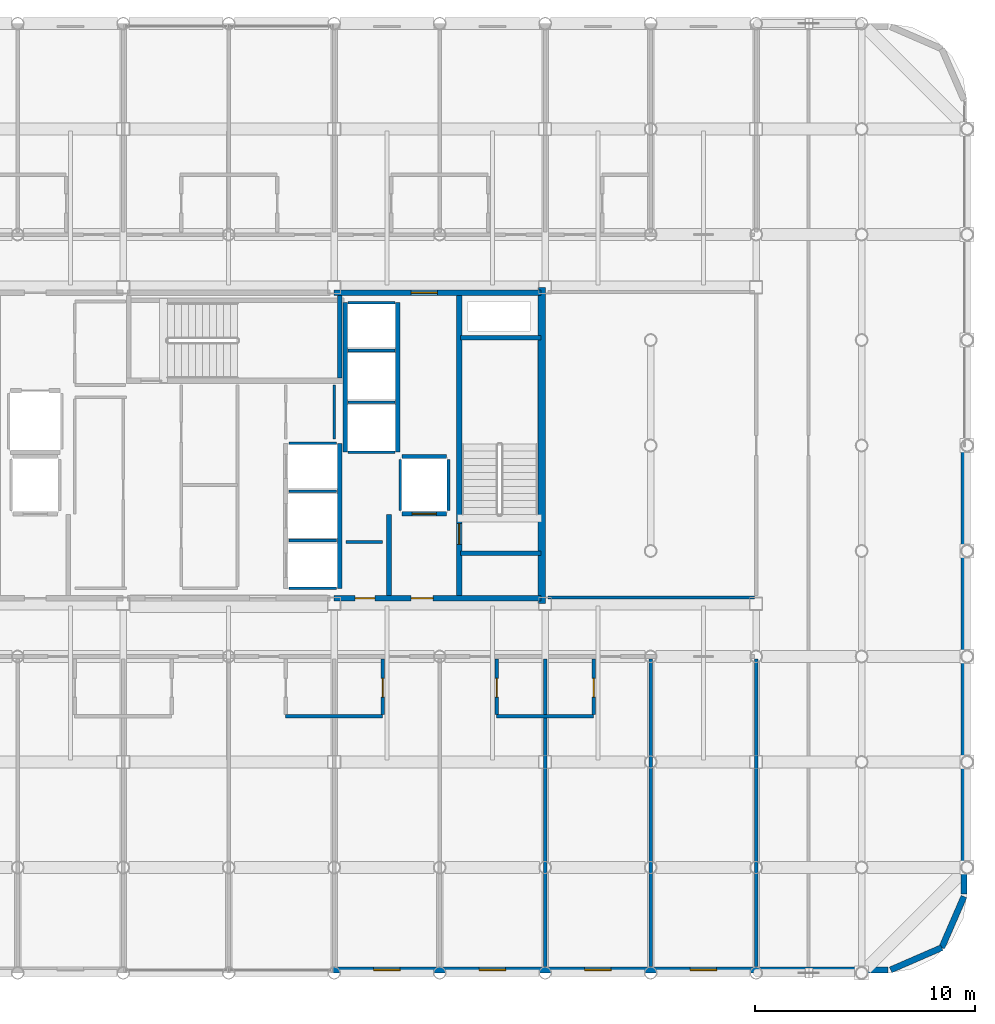
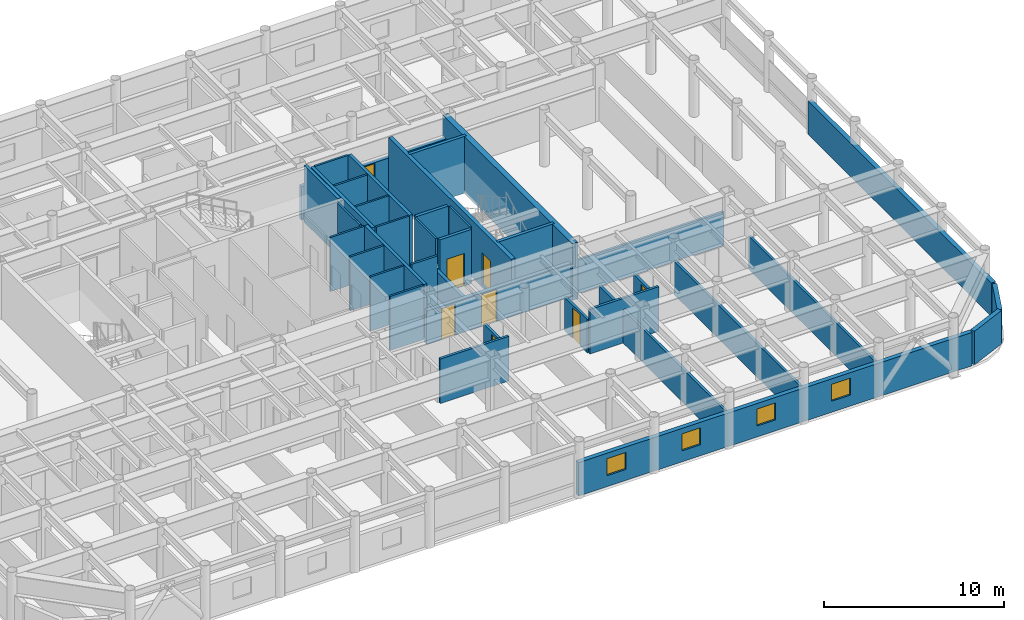
# One storey, part 19 of 22: 38 walls, 8 doors, 4 windows, 12 openings.
"""IFC4 building model written with IfcOpenShell, lengths in metres."""

import ifcopenshell
import ifcopenshell.guid

model = None  # the IFC model being written
_history = None  # IfcOwnerHistory: only IFC2X3 demands one
_inside = {}  # id of a spatial element -> (the spatial element, [elements in it])
_under = {}  # id of a project, library or spatial element -> (it, [spatial elements below it])
_declared = {}  # id of a project -> (the project, [libraries it declares])
_typed = {}  # id of a type object -> (the type object, [elements of that type])
_made_of = {}  # id of a material, layer set ... -> (it, [elements and type objects made of it])


def new_model(schema):
    """Start an empty IFC model of exactly this schema.

    Asked for "IFC4X3", IfcOpenShell would pick the latest addendum, in which some entities
    have other attributes; the version numbers below select the first issue.
    IFC2X3 requires an IfcOwnerHistory on every rooted entity: one is made here for all.
    """
    global model, _history
    if schema == "IFC4X3":
        model = ifcopenshell.file(schema_version=(4, 3, 0, 0))
    else:
        model = ifcopenshell.file(schema=schema)
    _inside.clear()
    _under.clear()
    _declared.clear()
    _typed.clear()
    _made_of.clear()
    _history = None
    if model.schema == "IFC2X3":
        org = make("IfcOrganization", Name="unknown")
        user = make(
            "IfcPersonAndOrganization",
            ThePerson=make("IfcPerson", FamilyName="unknown"),
            TheOrganization=org,
        )
        app = make(
            "IfcApplication",
            ApplicationDeveloper=org,
            Version="unknown",
            ApplicationFullName="unknown",
            ApplicationIdentifier="unknown",
        )
        _history = make(
            "IfcOwnerHistory",
            OwningUser=user,
            OwningApplication=app,
            ChangeAction="ADDED",
            CreationDate=0,
        )
    return model


def make(cls, **values):
    """One entity of the class cls with the attributes given. An attribute that is None is left unset."""
    return model.create_entity(
        cls, **{name: value for name, value in values.items() if value is not None}
    )


def rooted(cls, **values):
    """An entity with a GlobalId (a new one), such as an element, a storey or a relation."""
    return make(cls, GlobalId=ifcopenshell.guid.new(), OwnerHistory=_history, **values)


def si_unit(unit_type, name, prefix=None):
    """IfcSIUnit, for example si_unit("LENGTHUNIT", "METRE", prefix="MILLI")."""
    return make("IfcSIUnit", UnitType=unit_type, Prefix=prefix, Name=name)


def assignment(units):
    """IfcUnitAssignment: the units of a project."""
    return None if units is None else make("IfcUnitAssignment", Units=units)


def point(xyz):
    """IfcCartesianPoint."""
    return None if xyz is None else make("IfcCartesianPoint", Coordinates=xyz)


def direction(xyz):
    """IfcDirection."""
    return None if xyz is None else make("IfcDirection", DirectionRatios=xyz)


def frame(location, z_axis=None, x_axis=None):
    """IfcAxis2Placement3D, a coordinate frame: its origin and axes. An axis left out is left unset."""
    return make(
        "IfcAxis2Placement3D",
        Location=point(location),
        Axis=direction(z_axis),
        RefDirection=direction(x_axis),
    )


def frame_2d(location, x_axis=None):
    """IfcAxis2Placement2D, a coordinate frame in the plane: its origin and x axis."""
    return make(
        "IfcAxis2Placement2D", Location=point(location), RefDirection=direction(x_axis)
    )


def origin():
    """The frame at (0, 0, 0) with its axes left unset."""
    return frame((0.0, 0.0, 0.0))


def place(relative_to, where):
    """IfcLocalPlacement: puts the frame where relative to a parent placement (None: the world)."""
    return make(
        "IfcLocalPlacement", PlacementRelTo=relative_to, RelativePlacement=where
    )


def context(
    kind, dimensions, precision=None, world=None, true_north=None, identifier=None
):
    """IfcGeometricRepresentationContext, for example the 3D "Model" context."""
    return make(
        "IfcGeometricRepresentationContext",
        ContextIdentifier=identifier,
        ContextType=kind,
        CoordinateSpaceDimension=dimensions,
        Precision=precision,
        WorldCoordinateSystem=world,
        TrueNorth=true_north,
    )


def subcontext(parent, identifier, kind, view, scale=None):
    """IfcGeometricRepresentationSubContext, for example "Body" below "Model"."""
    return make(
        "IfcGeometricRepresentationSubContext",
        ContextIdentifier=identifier,
        ContextType=kind,
        ParentContext=parent,
        TargetScale=scale,
        TargetView=view,
    )


def project(units=None, contexts=None):
    """IfcProject with its units and contexts."""
    return rooted(
        "IfcProject",
        Name="project",
        RepresentationContexts=contexts,
        UnitsInContext=assignment(units),
    )


def spatial(cls, under=None, at=None, **own):
    """A site, building, storey or space (cls), placed at a placement, below another one or the project."""
    s = rooted(cls, ObjectPlacement=at, **own)
    if under is not None:
        _under.setdefault(under.id(), (under, []))[1].append(s)
    return s


def profile(cls, at=None, kind="AREA", **sizes):
    """A parametric profile (cls). Its sizes go by their IFC names, for example OverallWidth=200.0."""
    return make(cls, ProfileType=kind, Position=at, **sizes)


def rectangle(**sizes):
    """IfcRectangleProfileDef."""
    return profile("IfcRectangleProfileDef", **sizes)


def extrude(swept, where, along, depth):
    """IfcExtrudedAreaSolid: the profile swept, set in the frame where, extruded along a direction by depth."""
    return make(
        "IfcExtrudedAreaSolid",
        SweptArea=swept,
        Position=where,
        ExtrudedDirection=direction(along),
        Depth=depth,
    )


def shape(context_of_items, identifier, shape_type, items):
    """IfcShapeRepresentation: the items that make up one representation, for example the "Body"."""
    return make(
        "IfcShapeRepresentation",
        ContextOfItems=context_of_items,
        RepresentationIdentifier=identifier,
        RepresentationType=shape_type,
        Items=items,
    )


def material(Name=None, Category=None):
    """IfcMaterial."""
    return make("IfcMaterial", Name=Name, Category=Category)


def layer(
    of_material, thickness, ventilated=None, Name=None, Category=None, Priority=None
):
    """IfcMaterialLayer: one layer of a wall or slab, of a material (None: an air gap)."""
    return make(
        "IfcMaterialLayer",
        Material=of_material,
        LayerThickness=thickness,
        IsVentilated=ventilated,
        Name=Name,
        Category=Category,
        Priority=Priority,
    )


def layer_set(layers, Name=None):
    """IfcMaterialLayerSet."""
    return make("IfcMaterialLayerSet", MaterialLayers=layers, LayerSetName=Name)


def made_of(thing, what):
    """Note that an element or type object is made of a material, layer set ...; save() writes the relation."""
    if what is not None:
        _made_of.setdefault(what.id(), (what, []))[1].append(thing)
    return thing


def type_object(cls, material=None, **own):
    """A type object (cls), such as IfcWallType, which elements share."""
    return made_of(rooted(cls, **own), material)


def element(
    cls,
    number,
    at=None,
    inside=None,
    cuts=None,
    type_object=None,
    material=None,
    context=None,
    identifier="Body",
    shape_type=None,
    held_by="IfcProductDefinitionShape",
    body=None,
    shapes=None,
    **own,
):
    """One element of the class cls, such as IfcWall. Its Tag is "e" and its number.

    at: its placement. inside: the storey or other place that contains it. cuts: it is an
    opening in that element (IfcRelVoidsElement). A single representation is given by context,
    identifier, shape_type and body (its items); several are given by shapes. held_by: the class
    of the entity that holds the representations. save() writes the other relations.
    """
    e = rooted(cls, Tag="e%d" % number, ObjectPlacement=at, **own)
    if body is not None:
        shapes = [shape(context, identifier, shape_type, body)]
    if shapes is not None:
        e.Representation = make(held_by, Representations=shapes)
    if inside is not None:
        _inside.setdefault(inside.id(), (inside, []))[1].append(e)
    if cuts is not None:
        rooted(
            "IfcRelVoidsElement", RelatingBuildingElement=cuts, RelatedOpeningElement=e
        )
    if type_object is not None:
        _typed.setdefault(type_object.id(), (type_object, []))[1].append(e)
    return made_of(e, material)


def fill(opening, filler):
    """IfcRelFillsElement: the door or window that sits in an opening."""
    return rooted(
        "IfcRelFillsElement",
        RelatingOpeningElement=opening,
        RelatedBuildingElement=filler,
    )


def aggregate(whole, parts):
    """IfcRelAggregates: a whole, such as a stair, and the parts it consists of."""
    return rooted("IfcRelAggregates", RelatingObject=whole, RelatedObjects=parts)


def save(model, path):
    """Write the relations noted so far, then the file.

    IfcRelAggregates (storeys below a building ...), IfcRelContainedInSpatialStructure (elements
    in a storey), IfcRelDefinesByType, IfcRelAssociatesMaterial and IfcRelDeclares: one each for
    every whole, place, type object, material and project.
    """
    for whole, parts in _under.values():
        aggregate(whole, parts)
    for where, things in _inside.values():
        rooted(
            "IfcRelContainedInSpatialStructure",
            RelatedElements=things,
            RelatingStructure=where,
        )
    for kind, things in _typed.values():
        rooted("IfcRelDefinesByType", RelatedObjects=things, RelatingType=kind)
    for what, things in _made_of.values():
        rooted("IfcRelAssociatesMaterial", RelatedObjects=things, RelatingMaterial=what)
    for by, libraries in _declared.values():
        rooted("IfcRelDeclares", RelatingContext=by, RelatedDefinitions=libraries)
    model.write(path)


model = new_model("IFC4")

# Units and contexts
model_context = context("Model", 3, precision=1e-05, world=origin(), true_north=direction((0.0, 1.0)))
body_context = subcontext(model_context, "Body", "Model", "MODEL_VIEW")
ifc_project = project(units=[si_unit("LENGTHUNIT", "METRE"), si_unit("AREAUNIT", "SQUARE_METRE"), si_unit("VOLUMEUNIT", "CUBIC_METRE"), si_unit("PLANEANGLEUNIT", "RADIAN"), si_unit("MASSUNIT", "GRAM", prefix="KILO")], contexts=[model_context])

# Site, building, storey
site_placement = place(None, origin())
site = spatial("IfcSite", under=ifc_project, at=site_placement, CompositionType="ELEMENT")
building_placement = place(site_placement, origin())
building = spatial("IfcBuilding", under=site, at=building_placement, Name="Kallvorn Hotel Tower", CompositionType="ELEMENT")
storey_placement = place(building_placement, frame((0.0, 0.0, 191.5)))
storey = spatial("IfcBuildingStorey", under=building, at=storey_placement, Name="L47", CompositionType="ELEMENT", Elevation=191.5)

# Walls
ifc_material_1 = material(Name="Concrete C50/60", Category="concrete")
ifc_layer_1 = layer(ifc_material_1, 0.35009765625)
ifc_layer_set_1 = layer_set([ifc_layer_1], Name="WL_CORE_350")
wall_type_1 = type_object("IfcWallType", Name="WL_CORE_350", PredefinedType="SHEAR", material=ifc_layer_set_1)
wall_1_placement = place(storey_placement, frame((14.239990234375, -7.199951171875, -0.179931640625), z_axis=(0.0, 0.0, 1.0), x_axis=(0.0, 1.0, 0.0)))
element("IfcWall", 1, at=wall_1_placement, inside=storey, type_object=wall_type_1, Name="L47 Core East Shear Wall", PredefinedType="SHEAR", context=body_context, shape_type="SweptSolid", body=[
    extrude(rectangle(XDim=14.39990234375, YDim=0.35009765625, at=frame_2d((7.199951171875, 0.0))), origin(), (0.0, 0.0, 1.0), 3.849853515625),
])
ifc_material_2 = material(Name="Fire-rated double-layer acoustic gypsum drywall EI 60")
ifc_layer_2 = layer(ifc_material_2, 0.159912109375)
ifc_layer_set_2 = layer_set([ifc_layer_2], Name="WL_DEMISE_160")
wall_type_2 = type_object("IfcWallType", Name="WL_DEMISE_160", PredefinedType="PARTITIONING", material=ifc_layer_set_2)
wall_2_placement = place(storey_placement, frame((2.590087890625, -12.320068359375, 0.0), z_axis=(0.0, 0.0, 1.0), x_axis=(1.0, 0.0, 0.0)))
element("IfcWall", 2, at=wall_2_placement, inside=storey, type_object=wall_type_2, Name="L47 Suite 4705 Superior Twin Room Partition", PredefinedType="PARTITIONING", context=body_context, shape_type="SweptSolid", body=[
    extrude(rectangle(XDim=4.419921875, YDim=0.159912109375, at=frame_2d((2.2099609375, 0.0))), origin(), (0.0, 0.0, 1.0), 3.02001953125),
])
wall_3_placement = place(storey_placement, frame((12.18994140625, -12.320068359375, 0.0), z_axis=(0.0, 0.0, 1.0), x_axis=(1.0, 0.0, 0.0)))
element("IfcWall", 3, at=wall_3_placement, inside=storey, type_object=wall_type_2, Name="L47 Suite 4707 Superior Twin Room Partition", PredefinedType="PARTITIONING", context=body_context, shape_type="SweptSolid", body=[
    extrude(rectangle(XDim=4.420166015625, YDim=0.159912109375, at=frame_2d((2.2099609375, 0.0))), origin(), (0.0, 0.0, 1.0), 3.02001953125),
])

# Wall, opening, door
wall_4_placement = place(storey_placement, frame((7.006591796875, -12.235107421875, 0.0), z_axis=(0.0, 0.0, 1.0), x_axis=(0.0, 1.0, 0.0)))
wall_4 = element("IfcWall", 4, at=wall_4_placement, inside=storey, type_object=wall_type_2, Name="L47 Suite 4706 Superior Twin Room Partition", PredefinedType="PARTITIONING", context=body_context, shape_type="SweptSolid", body=[
    extrude(rectangle(XDim=2.51513671875, YDim=0.159912109375, at=frame_2d((1.257568359375, 0.0))), origin(), (0.0, 0.0, 1.0), 2.27001953125),
])
opening_1_placement = place(wall_4_placement, frame((0.784912109375, 0.0, 0.0)))
opening_1 = element("IfcOpeningElement", 5, at=opening_1_placement, cuts=wall_4, Name="Opening BD-I", PredefinedType="OPENING", context=body_context, shape_type="SweptSolid", body=[
    extrude(rectangle(XDim=0.860107421875, YDim=2.10009765625, at=frame_2d((0.43017578125, 1.050048828125))), frame((0.0, 0.094970703125, 0.0), z_axis=(0.0, -1.0, 0.0), x_axis=(1.0, 0.0, 0.0)), (0.0, 0.0, 1.0), 0.18994140625),
])
ifc_material_3 = material(Name="Solid-core walnut veneer fire-rated timber door leaf", Category="wood")
door_type_1 = type_object("IfcDoorType", Name="DR_BATH_860x2100", OperationType="NOTDEFINED", PredefinedType="DOOR", material=ifc_material_3)
door_1_placement = place(opening_1_placement, origin())
door_1 = element("IfcDoor", 6, at=door_1_placement, inside=storey, type_object=door_type_1, Name="L47 Suite 4706 En-Suite Bathroom Door", OperationType="SINGLE_SWING_RIGHT", OverallHeight=2.10009765625, OverallWidth=0.860107421875, PredefinedType="DOOR", context=body_context, shape_type="SweptSolid", body=[
    extrude(rectangle(XDim=0.860107421875, YDim=2.10009765625, at=frame_2d((0.43017578125, 1.050048828125))), frame((0.0, 0.02490234375, 0.0), z_axis=(0.0, -1.0, 0.0), x_axis=(1.0, 0.0, 0.0)), (0.0, 0.0, 1.0), 0.050048828125),
])
fill(opening_1, door_1)

wall_5_placement = place(storey_placement, frame((12.18994140625, -12.235107421875, 0.0), z_axis=(0.0, 0.0, 1.0), x_axis=(0.0, 1.0, 0.0)))
wall_5 = element("IfcWall", 7, at=wall_5_placement, inside=storey, type_object=wall_type_2, Name="L47 Suite 4707 Superior Twin Room Partition", PredefinedType="PARTITIONING", context=body_context, shape_type="SweptSolid", body=[
    extrude(rectangle(XDim=2.51513671875, YDim=0.159912109375, at=frame_2d((1.257568359375, 0.0))), origin(), (0.0, 0.0, 1.0), 2.27001953125),
])
opening_2_placement = place(wall_5_placement, frame((0.784912109375, 0.0, 0.0)))
opening_2 = element("IfcOpeningElement", 8, at=opening_2_placement, cuts=wall_5, Name="Opening BD-I", PredefinedType="OPENING", context=body_context, shape_type="SweptSolid", body=[
    extrude(rectangle(XDim=0.860107421875, YDim=2.10009765625, at=frame_2d((0.43017578125, 1.050048828125))), frame((0.0, 0.094970703125, 0.0), z_axis=(0.0, -1.0, 0.0), x_axis=(1.0, 0.0, 0.0)), (0.0, 0.0, 1.0), 0.18994140625),
])
door_2_placement = place(opening_2_placement, origin())
door_2 = element("IfcDoor", 9, at=door_2_placement, inside=storey, type_object=door_type_1, Name="L47 Suite 4707 En-Suite Bathroom Door", OperationType="SINGLE_SWING_RIGHT", OverallHeight=2.10009765625, OverallWidth=0.860107421875, PredefinedType="DOOR", context=body_context, shape_type="SweptSolid", body=[
    extrude(rectangle(XDim=0.860107421875, YDim=2.10009765625, at=frame_2d((0.43017578125, 1.050048828125))), frame((0.0, 0.02490234375, 0.0), z_axis=(0.0, -1.0, 0.0), x_axis=(1.0, 0.0, 0.0)), (0.0, 0.0, 1.0), 0.050048828125),
])
fill(opening_2, door_2)

# Wall
wall_6_placement = place(storey_placement, frame((14.39990234375, -23.7099609375, 0.0), z_axis=(0.0, 0.0, 1.0), x_axis=(0.0, 1.0, 0.0)))
element("IfcWall", 10, at=wall_6_placement, inside=storey, type_object=wall_type_2, Name="L47 Suite 4707 Superior Twin Room Partition", PredefinedType="PARTITIONING", context=body_context, shape_type="SweptSolid", body=[
    extrude(rectangle(XDim=13.989990234375, YDim=0.159912109375, at=frame_2d((6.9951171875, 0.0))), origin(), (0.0, 0.0, 1.0), 2.27001953125),
])

# Wall, opening, door
wall_7_placement = place(storey_placement, frame((16.610107421875, -12.235107421875, 0.0), z_axis=(0.0, 0.0, 1.0), x_axis=(0.0, 1.0, 0.0)))
wall_7 = element("IfcWall", 11, at=wall_7_placement, inside=storey, type_object=wall_type_2, Name="L47 Suite 4708 Superior Twin Room Partition", PredefinedType="PARTITIONING", context=body_context, shape_type="SweptSolid", body=[
    extrude(rectangle(XDim=2.51513671875, YDim=0.159912109375, at=frame_2d((1.257568359375, 0.0))), origin(), (0.0, 0.0, 1.0), 2.27001953125),
])
opening_3_placement = place(wall_7_placement, frame((0.784912109375, 0.0, 0.0)))
opening_3 = element("IfcOpeningElement", 12, at=opening_3_placement, cuts=wall_7, Name="Opening BD-I", PredefinedType="OPENING", context=body_context, shape_type="SweptSolid", body=[
    extrude(rectangle(XDim=0.860107421875, YDim=2.10009765625, at=frame_2d((0.43017578125, 1.050048828125))), frame((0.0, 0.094970703125, 0.0), z_axis=(0.0, -1.0, 0.0), x_axis=(1.0, 0.0, 0.0)), (0.0, 0.0, 1.0), 0.18994140625),
])
door_3_placement = place(opening_3_placement, origin())
door_3 = element("IfcDoor", 13, at=door_3_placement, inside=storey, type_object=door_type_1, Name="L47 Suite 4708 En-Suite Bathroom Door", OperationType="SINGLE_SWING_LEFT", OverallHeight=2.10009765625, OverallWidth=0.860107421875, PredefinedType="DOOR", context=body_context, shape_type="SweptSolid", body=[
    extrude(rectangle(XDim=0.860107421875, YDim=2.10009765625, at=frame_2d((0.43017578125, 1.050048828125))), frame((0.0, 0.02490234375, 0.0), z_axis=(0.0, -1.0, 0.0), x_axis=(1.0, 0.0, 0.0)), (0.0, 0.0, 1.0), 0.050048828125),
])
fill(opening_3, door_3)

# Walls
wall_8_placement = place(storey_placement, frame((19.199951171875, -23.7099609375, 0.0), z_axis=(0.0, 0.0, 1.0), x_axis=(0.0, 1.0, 0.0)))
element("IfcWall", 14, at=wall_8_placement, inside=storey, type_object=wall_type_2, Name="L47 Suite 4708 Superior Twin Room Partition", PredefinedType="PARTITIONING", context=body_context, shape_type="SweptSolid", body=[
    extrude(rectangle(XDim=13.989990234375, YDim=0.159912109375, at=frame_2d((6.9951171875, 0.0))), origin(), (0.0, 0.0, 1.0), 2.27001953125),
])
ifc_material_4 = material(Name="Precast basalt-clad insulated concrete wall C40/50", Category="masonry")
ifc_layer_3 = layer(ifc_material_4, 0.280029296875)
ifc_layer_set_3 = layer_set([ifc_layer_3], Name="WL_EXT_LOGGIA_280")
wall_type_3 = type_object("IfcWallType", Name="WL_EXT_LOGGIA_280", PredefinedType="SOLIDWALL", material=ifc_layer_set_3)
wall_9_placement = place(storey_placement, frame((30.120849609375, -23.85791015625, 0.0), z_axis=(0.0, 0.0, 1.0), x_axis=(0.917060872934, 0.398747232384, 0.0)))
element("IfcWall", 15, at=wall_9_placement, inside=storey, type_object=wall_type_3, Name="L47 Rounded Corner Exterior Wall SE1", PredefinedType="SOLIDWALL", context=body_context, shape_type="SweptSolid", body=[
    extrude(rectangle(XDim=2.5361328125, YDim=0.280029296875, at=frame_2d((1.26806640625, 0.0))), origin(), (0.0, 0.0, 1.0), 2.27001953125),
])
wall_10_placement = place(storey_placement, frame((32.446533203125, -22.8466796875, 0.0), z_axis=(0.0, 0.0, 1.0), x_axis=(0.398792985289, 0.917040977756, 0.0)))
element("IfcWall", 16, at=wall_10_placement, inside=storey, type_object=wall_type_3, Name="L47 Rounded Corner Exterior Wall SE2", PredefinedType="SOLIDWALL", context=body_context, shape_type="SweptSolid", body=[
    extrude(rectangle(XDim=2.536376953125, YDim=0.280029296875, at=frame_2d((1.26806640625, 0.0))), origin(), (0.0, 0.0, 1.0), 2.27001953125),
])

# Wall, openings, windows
wall_11_placement = place(storey_placement, frame((4.75, -23.860107421875, 0.0), z_axis=(0.0, 0.0, 1.0), x_axis=(1.0, 0.0, 0.0)))
wall_11 = element("IfcWall", 17, at=wall_11_placement, inside=storey, type_object=wall_type_3, Name="L47 Exterior Envelope Wall EW-L47-SE", PredefinedType="SOLIDWALL", context=body_context, shape_type="SweptSolid", body=[
    extrude(rectangle(XDim=25.25, YDim=0.280029296875, at=frame_2d((12.625, 0.0))), origin(), (0.0, 0.0, 1.0), 2.27001953125),
])
opening_4_placement = place(wall_11_placement, frame((16.25, 0.0, 0.75)))
opening_4 = element("IfcOpeningElement", 18, at=opening_4_placement, cuts=wall_11, Name="Opening W06A", PredefinedType="OPENING", context=body_context, shape_type="SweptSolid", body=[
    extrude(rectangle(XDim=1.199951171875, YDim=1.14990234375, at=frame_2d((0.60009765625, 0.574951171875))), frame((0.0, 0.155029296875, 0.0), z_axis=(0.0, -1.0, 0.0), x_axis=(1.0, 0.0, 0.0)), (0.0, 0.0, 1.0), 0.31005859375),
])
opening_5_placement = place(wall_11_placement, frame((1.85009765625, 0.0, 0.75)))
opening_5 = element("IfcOpeningElement", 19, at=opening_5_placement, cuts=wall_11, Name="Opening W06A", PredefinedType="OPENING", context=body_context, shape_type="SweptSolid", body=[
    extrude(rectangle(XDim=1.199951171875, YDim=1.14990234375, at=frame_2d((0.60009765625, 0.574951171875))), frame((0.0, 0.155029296875, 0.0), z_axis=(0.0, -1.0, 0.0), x_axis=(1.0, 0.0, 0.0)), (0.0, 0.0, 1.0), 0.31005859375),
])
opening_6_placement = place(wall_11_placement, frame((6.64990234375, 0.0, 0.75)))
opening_6 = element("IfcOpeningElement", 20, at=opening_6_placement, cuts=wall_11, Name="Opening W06A", PredefinedType="OPENING", context=body_context, shape_type="SweptSolid", body=[
    extrude(rectangle(XDim=1.199951171875, YDim=1.14990234375, at=frame_2d((0.60009765625, 0.574951171875))), frame((0.0, 0.155029296875, 0.0), z_axis=(0.0, -1.0, 0.0), x_axis=(1.0, 0.0, 0.0)), (0.0, 0.0, 1.0), 0.31005859375),
])
opening_7_placement = place(wall_11_placement, frame((11.449951171875, 0.0, 0.75)))
opening_7 = element("IfcOpeningElement", 21, at=opening_7_placement, cuts=wall_11, Name="Opening W06A", PredefinedType="OPENING", context=body_context, shape_type="SweptSolid", body=[
    extrude(rectangle(XDim=1.199951171875, YDim=1.14990234375, at=frame_2d((0.60009765625, 0.574951171875))), frame((0.0, 0.155029296875, 0.0), z_axis=(0.0, -1.0, 0.0), x_axis=(1.0, 0.0, 0.0)), (0.0, 0.0, 1.0), 0.31005859375),
])
ifc_material_5 = material(Name="Triple-glazed low-e acoustic solar-control dark glass", Category="glass")
window_type = type_object("IfcWindowType", Name="WN_HTL_1200x1150", PartitioningType="SINGLE_PANEL", PredefinedType="WINDOW", material=ifc_material_5)
window_1_placement = place(opening_4_placement, origin())
window_1 = element("IfcWindow", 22, at=window_1_placement, inside=storey, type_object=window_type, Name="L47 Guestroom Exterior Window 01", OverallHeight=1.14990234375, OverallWidth=1.199951171875, PartitioningType="SINGLE_PANEL", PredefinedType="WINDOW", context=body_context, shape_type="SweptSolid", body=[
    extrude(rectangle(XDim=1.199951171875, YDim=1.14990234375, at=frame_2d((0.60009765625, 0.574951171875))), frame((0.0, 0.030029296875, 0.0), z_axis=(0.0, -1.0, 0.0), x_axis=(1.0, 0.0, 0.0)), (0.0, 0.0, 1.0), 0.06005859375),
])
fill(opening_4, window_1)
window_2_placement = place(opening_5_placement, origin())
window_2 = element("IfcWindow", 23, at=window_2_placement, inside=storey, type_object=window_type, Name="L47 Guestroom Exterior Window 06", OverallHeight=1.14990234375, OverallWidth=1.199951171875, PartitioningType="SINGLE_PANEL", PredefinedType="WINDOW", context=body_context, shape_type="SweptSolid", body=[
    extrude(rectangle(XDim=1.199951171875, YDim=1.14990234375, at=frame_2d((0.60009765625, 0.574951171875))), frame((0.0, 0.030029296875, 0.0), z_axis=(0.0, -1.0, 0.0), x_axis=(1.0, 0.0, 0.0)), (0.0, 0.0, 1.0), 0.06005859375),
])
fill(opening_5, window_2)
window_3_placement = place(opening_6_placement, origin())
window_3 = element("IfcWindow", 24, at=window_3_placement, inside=storey, type_object=window_type, Name="L47 Guestroom Exterior Window 07", OverallHeight=1.14990234375, OverallWidth=1.199951171875, PartitioningType="SINGLE_PANEL", PredefinedType="WINDOW", context=body_context, shape_type="SweptSolid", body=[
    extrude(rectangle(XDim=1.199951171875, YDim=1.14990234375, at=frame_2d((0.60009765625, 0.574951171875))), frame((0.0, 0.030029296875, 0.0), z_axis=(0.0, -1.0, 0.0), x_axis=(1.0, 0.0, 0.0)), (0.0, 0.0, 1.0), 0.06005859375),
])
fill(opening_6, window_3)
window_4_placement = place(opening_7_placement, origin())
window_4 = element("IfcWindow", 25, at=window_4_placement, inside=storey, type_object=window_type, Name="L47 Guestroom Exterior Window 08", OverallHeight=1.14990234375, OverallWidth=1.199951171875, PartitioningType="SINGLE_PANEL", PredefinedType="WINDOW", context=body_context, shape_type="SweptSolid", body=[
    extrude(rectangle(XDim=1.199951171875, YDim=1.14990234375, at=frame_2d((0.60009765625, 0.574951171875))), frame((0.0, 0.030029296875, 0.0), z_axis=(0.0, -1.0, 0.0), x_axis=(1.0, 0.0, 0.0)), (0.0, 0.0, 1.0), 0.06005859375),
])
fill(opening_7, window_4)

# Walls
wall_12_placement = place(storey_placement, frame((33.4599609375, -20.39990234375, 0.0), z_axis=(0.0, 0.0, 1.0), x_axis=(0.0, 1.0, 0.0)))
element("IfcWall", 26, at=wall_12_placement, inside=storey, type_object=wall_type_3, Name="L47 Exterior Envelope Wall EW-L47-ES", PredefinedType="SOLIDWALL", context=body_context, shape_type="SweptSolid", body=[
    extrude(rectangle(XDim=20.3798828125, YDim=0.280029296875, at=frame_2d((10.18994140625, 0.0))), origin(), (0.0, 0.0, 1.0), 2.27001953125),
])
ifc_material_6 = material(Name="Concrete C40/50", Category="concrete")
ifc_layer_4 = layer(ifc_material_6, 0.219970703125)
ifc_layer_set_4 = layer_set([ifc_layer_4], Name="WL_FFL_220")
wall_type_4 = type_object("IfcWallType", Name="WL_FFL_220", PredefinedType="SOLIDWALL", material=ifc_layer_set_4)
wall_13_placement = place(storey_placement, frame((7.300048828125, -6.820068359375, 0.0), z_axis=(0.0, 0.0, 1.0), x_axis=(0.0, 1.0, 0.0)))
element("IfcWall", 27, at=wall_13_placement, inside=storey, type_object=wall_type_4, Name="L47 Firefighting Lobby East Divider Wall", PredefinedType="SOLIDWALL", context=body_context, shape_type="SweptSolid", body=[
    extrude(rectangle(XDim=3.670166015625, YDim=0.219970703125, at=frame_2d((1.8349609375, 0.0))), origin(), (0.0, 0.0, 1.0), 2.27001953125),
])
ifc_material_7 = material(Name="Concrete C40/50", Category="concrete")
ifc_layer_5 = layer(ifc_material_7, 0.199951171875)
ifc_layer_set_5 = layer_set([ifc_layer_5], Name="WL_HOIST_200")
wall_type_5 = type_object("IfcWallType", Name="WL_HOIST_200", PredefinedType="SOLIDWALL", material=ifc_layer_set_5)
for number, where, z_axis, x_axis, name in (
    (28, (10.550048828125, -4.89990234375, -0.179931640625), (0.0, 0.0, 1.0), (1.0, 0.0, 0.0), "L47 Stair ST2 South Wall"),
    (29, (10.550048828125, 4.89990234375, -0.179931640625), (0.0, 0.0, 1.0), (1.0, 0.0, 0.0), "L47 Stair ST2 North Wall"),
):
    element("IfcWall", number, at=place(storey_placement, frame(where, z_axis=z_axis, x_axis=x_axis)), inside=storey, type_object=wall_type_5, Name=name, PredefinedType="SOLIDWALL", context=body_context, shape_type="SweptSolid", body=[
        extrude(rectangle(XDim=3.64990234375, YDim=0.199951171875, at=frame_2d((1.824951171875, 0.0))), origin(), (0.0, 0.0, 1.0), 3.849853515625),
    ])
wall_14_placement = place(storey_placement, frame((5.06005859375, 3.080078125, -0.179931640625), z_axis=(0.0, 0.0, 1.0), x_axis=(0.0, 1.0, 0.0)))
element("IfcWall", 30, at=wall_14_placement, inside=storey, type_object=wall_type_5, Name="L47 Stair ST3 East Wall", PredefinedType="SOLIDWALL", context=body_context, shape_type="SweptSolid", body=[
    extrude(rectangle(XDim=3.739990234375, YDim=0.199951171875, at=frame_2d((1.8701171875, 0.0))), origin(), (0.0, 0.0, 1.0), 3.849853515625),
])
wall_15_placement = place(storey_placement, frame((5.050048828125, -6.5, 0.0), z_axis=(0.0, 0.0, 1.0), x_axis=(0.0, 1.0, 0.0)))
element("IfcWall", 31, at=wall_15_placement, inside=storey, type_object=wall_type_5, Name="L47 Lift Bank B3A Rear Shaft Wall", PredefinedType="SOLIDWALL", context=body_context, shape_type="SweptSolid", body=[
    extrude(rectangle(XDim=6.60009765625, YDim=0.199951171875, at=frame_2d((3.300048828125, 0.0))), origin(), (0.0, 0.0, 1.0), 3.669921875),
])
for number, where, z_axis, x_axis, name in (
    (32, (7.699951171875, -0.300048828125, 0.0), (0.0, 0.0, 1.0), (0.0, 1.0, 0.0), "L47 Lift Bank OBS Landing Wall"),
    (33, (5.300048828125, -0.300048828125, 0.0), (0.0, 0.0, 1.0), (0.0, 1.0, 0.0), "L47 Lift Bank OBS Rear Shaft Wall"),
):
    element("IfcWall", number, at=place(storey_placement, frame(where, z_axis=z_axis, x_axis=x_axis)), inside=storey, type_object=wall_type_5, Name=name, PredefinedType="SOLIDWALL", context=body_context, shape_type="SweptSolid", body=[
        extrude(rectangle(XDim=6.800048828125, YDim=0.199951171875, at=frame_2d((3.39990234375, 0.0))), origin(), (0.0, 0.0, 1.0), 3.669921875),
    ])

# Wall, opening, door
wall_16_placement = place(storey_placement, frame((7.8798828125, -3.10009765625, 0.0), z_axis=(0.0, 0.0, 1.0), x_axis=(1.0, 0.0, 0.0)))
wall_16 = element("IfcWall", 34, at=wall_16_placement, inside=storey, type_object=wall_type_5, Name="L47 FL-2 Landing Wall", PredefinedType="SOLIDWALL", context=body_context, shape_type="SweptSolid", body=[
    extrude(rectangle(XDim=2.0400390625, YDim=0.199951171875, at=frame_2d((1.02001953125, 0.0))), origin(), (0.0, 0.0, 1.0), 3.669921875),
])
opening_8_placement = place(wall_16_placement, frame((0.469970703125, 0.0, 0.0)))
opening_8 = element("IfcOpeningElement", 35, at=opening_8_placement, cuts=wall_16, Name="Opening LD-FL-2", PredefinedType="OPENING", context=body_context, shape_type="SweptSolid", body=[
    extrude(rectangle(XDim=1.10009765625, YDim=2.199951171875, at=frame_2d((0.550048828125, 1.10009765625))), frame((0.0, 0.114990234375, 0.0), z_axis=(0.0, -1.0, 0.0), x_axis=(1.0, 0.0, 0.0)), (0.0, 0.0, 1.0), 0.22998046875),
])
ifc_material_8 = material(Name="Brushed stainless-steel automatic sliding lift landing door", Category="steel")
door_type_2 = type_object("IfcDoorType", Name="LD_PASS_1100x2200", OperationType="SLIDING_TO_LEFT", PredefinedType="DOOR", material=ifc_material_8)
door_4_placement = place(opening_8_placement, origin())
door_4 = element("IfcDoor", 36, at=door_4_placement, inside=storey, type_object=door_type_2, Name="L47 Lift Landing Sliding Door LD-FL-2", OperationType="SLIDING_TO_LEFT", OverallHeight=2.199951171875, OverallWidth=1.10009765625, PredefinedType="DOOR", context=body_context, shape_type="SweptSolid", body=[
    extrude(rectangle(XDim=1.10009765625, YDim=2.199951171875, at=frame_2d((0.550048828125, 1.10009765625))), frame((0.0, 0.02490234375, 0.0), z_axis=(0.0, -1.0, 0.0), x_axis=(1.0, 0.0, 0.0)), (0.0, 0.0, 1.0), 0.050048828125),
])
fill(opening_8, door_4)

# Walls
wall_17_placement = place(storey_placement, frame((7.8798828125, -0.5, 0.0), z_axis=(0.0, 0.0, 1.0), x_axis=(1.0, 0.0, 0.0)))
element("IfcWall", 37, at=wall_17_placement, inside=storey, type_object=wall_type_5, Name="L47 FL-2 Rear Shaft Wall", PredefinedType="SOLIDWALL", context=body_context, shape_type="SweptSolid", body=[
    extrude(rectangle(XDim=2.0400390625, YDim=0.199951171875, at=frame_2d((1.02001953125, 0.0))), origin(), (0.0, 0.0, 1.0), 3.669921875),
])
ifc_material_9 = material(Name="Fire-rated double-layer acoustic gypsum drywall EI 60")
ifc_layer_6 = layer(ifc_material_9, 0.1201171875)
ifc_layer_set_6 = layer_set([ifc_layer_6], Name="WL_INT_120")
wall_type_6 = type_object("IfcWallType", Name="WL_INT_120", PredefinedType="PARTITIONING", material=ifc_layer_set_6)
for number, where, z_axis, x_axis, name in (
    (38, (2.739990234375, -6.5, 0.0), (0.0, 0.0, 1.0), (1.0, 0.0, 0.0), "L47 Lift Bank B3A South Closure Wall"),
    (39, (2.739990234375, -4.324951171875, 0.0), (0.0, 0.0, 1.0), (1.0, 0.0, 0.0), "L47 PL-09 Hoistway Divider"),
    (40, (2.739990234375, -2.074951171875, 0.0), (0.0, 0.0, 1.0), (1.0, 0.0, 0.0), "L47 PL-10 Hoistway Divider"),
    (41, (2.739990234375, 0.10009765625, 0.0), (0.0, 0.0, 1.0), (1.0, 0.0, 0.0), "L47 PL-11 Hoistway Divider"),
):
    element("IfcWall", number, at=place(storey_placement, frame(where, z_axis=z_axis, x_axis=x_axis)), inside=storey, type_object=wall_type_6, Name=name, PredefinedType="PARTITIONING", context=body_context, shape_type="SweptSolid", body=[
        extrude(rectangle(XDim=2.169921875, YDim=0.1201171875, at=frame_2d((1.0849609375, 0.0))), origin(), (0.0, 0.0, 1.0), 3.669921875),
    ])
for number, where, z_axis, x_axis, name in (
    (42, (5.43994140625, -0.300048828125, 0.0), (0.0, 0.0, 1.0), (1.0, 0.0, 0.0), "L47 Lift Bank OBS South Closure Wall"),
    (43, (5.43994140625, 1.97509765625, 0.0), (0.0, 0.0, 1.0), (1.0, 0.0, 0.0), "L47 OB-01 Hoistway Divider"),
    (44, (5.43994140625, 4.324951171875, 0.0), (0.0, 0.0, 1.0), (1.0, 0.0, 0.0), "L47 OB-02 Hoistway Divider"),
    (45, (5.43994140625, 6.5, 0.0), (0.0, 0.0, 1.0), (1.0, 0.0, 0.0), "L47 OB-03 Hoistway Divider"),
):
    element("IfcWall", number, at=place(storey_placement, frame(where, z_axis=z_axis, x_axis=x_axis)), inside=storey, type_object=wall_type_6, Name=name, PredefinedType="PARTITIONING", context=body_context, shape_type="SweptSolid", body=[
        extrude(rectangle(XDim=2.1201171875, YDim=0.1201171875, at=frame_2d((1.06005859375, 0.0))), origin(), (0.0, 0.0, 1.0), 3.669921875),
    ])
for number, where, z_axis, x_axis, name in (
    (46, (7.800048828125, -2.9599609375, 0.0), (0.0, 0.0, 1.0), (0.0, 1.0, 0.0), "L47 FL-2 West Shaft Wall"),
    (47, (10.0, -2.9599609375, 0.0), (0.0, 0.0, 1.0), (0.0, 1.0, 0.0), "L47 FL-2 East Shaft Wall"),
):
    element("IfcWall", number, at=place(storey_placement, frame(where, z_axis=z_axis, x_axis=x_axis)), inside=storey, type_object=wall_type_6, Name=name, PredefinedType="PARTITIONING", context=body_context, shape_type="SweptSolid", body=[
        extrude(rectangle(XDim=2.320068359375, YDim=0.1201171875, at=frame_2d((1.16015625, 0.0))), origin(), (0.0, 0.0, 1.0), 3.669921875),
    ])
wall_18_placement = place(storey_placement, frame((4.800048828125, 0.300048828125, 0.0), z_axis=(0.0, 0.0, 1.0), x_axis=(0.0, 1.0, 0.0)))
element("IfcWall", 48, at=wall_18_placement, inside=storey, type_object=wall_type_6, Name="L47 East Core Janitor Room Partition", PredefinedType="PARTITIONING", context=body_context, shape_type="SweptSolid", body=[
    extrude(rectangle(XDim=2.449951171875, YDim=0.1201171875, at=frame_2d((1.22509765625, 0.0))), origin(), (0.0, 0.0, 1.0), 3.669921875),
])
ifc_material_10 = material(Name="Fire-rated double-layer acoustic gypsum drywall EI 60")
ifc_layer_7 = layer(ifc_material_10, 0.14990234375)
ifc_layer_set_7 = layer_set([ifc_layer_7], Name="WL_PART_150")
wall_type_7 = type_object("IfcWallType", Name="WL_PART_150", PredefinedType="PARTITIONING", material=ifc_layer_set_7)
wall_19_placement = place(storey_placement, frame((14.52001953125, -6.919921875, 0.0), z_axis=(0.0, 0.0, 1.0), x_axis=(1.0, 0.0, 0.0)))
element("IfcWall", 49, at=wall_19_placement, inside=storey, type_object=wall_type_7, Name="L47 L47 High-Zone Inner East Club Gallery Partition", PredefinedType="PARTITIONING", context=body_context, shape_type="SweptSolid", body=[
    extrude(rectangle(XDim=9.39990234375, YDim=0.14990234375, at=frame_2d((4.699951171875, 0.0))), origin(), (0.0, 0.0, 1.0), 2.27001953125),
])
wall_20_placement = place(storey_placement, frame((24.0, -23.7099609375, 0.0), z_axis=(0.0, 0.0, 1.0), x_axis=(0.0, 1.0, 0.0)))
element("IfcWall", 50, at=wall_20_placement, inside=storey, type_object=wall_type_7, Name="L47 L47 High-Zone South-East Wine Bar Partition", PredefinedType="PARTITIONING", context=body_context, shape_type="SweptSolid", body=[
    extrude(rectangle(XDim=13.989990234375, YDim=0.14990234375, at=frame_2d((6.9951171875, 0.0))), origin(), (0.0, 0.0, 1.0), 2.27001953125),
])
ifc_material_11 = material(Name="Moisture-resistant acoustic plumbing chase wall EI 60")
ifc_layer_8 = layer(ifc_material_11, 0.139892578125)
ifc_layer_set_8 = layer_set([ifc_layer_8], Name="WL_PLUMB_140")
wall_type_8 = type_object("IfcWallType", Name="WL_PLUMB_140", PredefinedType="PLUMBINGWALL", material=ifc_layer_set_8)
wall_21_placement = place(storey_placement, frame((5.35009765625, -4.39990234375, 0.0), z_axis=(0.0, 0.0, 1.0), x_axis=(1.0, 0.0, 0.0)))
element("IfcWall", 51, at=wall_21_placement, inside=storey, type_object=wall_type_8, Name="L47 Core Staff Restroom WC Partition", PredefinedType="PLUMBINGWALL", context=body_context, shape_type="SweptSolid", body=[
    extrude(rectangle(XDim=1.64990234375, YDim=0.139892578125, at=frame_2d((0.824951171875, 0.0))), origin(), (0.0, 0.0, 1.0), 3.669921875),
])

# Wall, openings, doors
ifc_material_12 = material(Name="Concrete C40/50", Category="concrete")
ifc_layer_9 = layer(ifc_material_12, 0.25)
ifc_layer_set_9 = layer_set([ifc_layer_9], Name="WL_SHAFT_250")
wall_type_9 = type_object("IfcWallType", Name="WL_SHAFT_250", PredefinedType="SOLIDWALL", material=ifc_layer_set_9)
wall_22_placement = place(storey_placement, frame((4.800048828125, -6.949951171875, 0.0), z_axis=(0.0, 0.0, 1.0), x_axis=(1.0, 0.0, 0.0)))
wall_22 = element("IfcWall", 52, at=wall_22_placement, inside=storey, type_object=wall_type_9, Name="L47 Core South-East Wall", PredefinedType="SOLIDWALL", context=body_context, shape_type="SweptSolid", body=[
    extrude(rectangle(XDim=9.39990234375, YDim=0.25, at=frame_2d((4.699951171875, 0.0))), origin(), (0.0, 0.0, 1.0), 2.27001953125),
])
opening_9_placement = place(wall_22_placement, frame((3.5, 0.0, 0.0)))
opening_9 = element("IfcOpeningElement", 53, at=opening_9_placement, cuts=wall_22, Name="Opening FD1", PredefinedType="OPENING", context=body_context, shape_type="SweptSolid", body=[
    extrude(rectangle(XDim=1.0, YDim=2.14990234375, at=frame_2d((0.5, 1.074951171875))), frame((0.0, 0.139892578125, 0.0), z_axis=(0.0, -1.0, 0.0), x_axis=(1.0, 0.0, 0.0)), (0.0, 0.0, 1.0), 0.280029296875),
])
opening_10_placement = place(wall_22_placement, frame((0.949951171875, 0.0, 0.0)))
opening_10 = element("IfcOpeningElement", 54, at=opening_10_placement, cuts=wall_22, Name="Opening SVD1", PredefinedType="OPENING", context=body_context, shape_type="SweptSolid", body=[
    extrude(rectangle(XDim=0.89990234375, YDim=2.10009765625, at=frame_2d((0.449951171875, 1.050048828125))), frame((0.0, 0.139892578125, 0.0), z_axis=(0.0, -1.0, 0.0), x_axis=(1.0, 0.0, 0.0)), (0.0, 0.0, 1.0), 0.280029296875),
])
ifc_material_13 = material(Name="Galvanised painted steel fire-rated door assembly", Category="steel")
door_type_3 = type_object("IfcDoorType", Name="DR_FFL_1000x2150", OperationType="NOTDEFINED", PredefinedType="DOOR", material=ifc_material_13)
door_5_placement = place(opening_9_placement, origin())
door_5 = element("IfcDoor", 55, at=door_5_placement, inside=storey, type_object=door_type_3, Name="L47 Firefighting Lobby East Door", OperationType="SINGLE_SWING_LEFT", OverallHeight=2.14990234375, OverallWidth=1.0, PredefinedType="DOOR", context=body_context, shape_type="SweptSolid", body=[
    extrude(rectangle(XDim=1.0, YDim=2.14990234375, at=frame_2d((0.5, 1.074951171875))), frame((0.0, 0.02490234375, 0.0), z_axis=(0.0, -1.0, 0.0), x_axis=(1.0, 0.0, 0.0)), (0.0, 0.0, 1.0), 0.050048828125),
])
fill(opening_9, door_5)
ifc_material_14 = material(Name="Galvanised painted steel fire-rated door assembly", Category="steel")
door_type_4 = type_object("IfcDoorType", Name="DR_SERV_900x2100", OperationType="NOTDEFINED", PredefinedType="DOOR", material=ifc_material_14)
door_6_placement = place(opening_10_placement, origin())
door_6 = element("IfcDoor", 56, at=door_6_placement, inside=storey, type_object=door_type_4, Name="L47 Core Staff Restroom WC Door", OperationType="SINGLE_SWING_RIGHT", OverallHeight=2.10009765625, OverallWidth=0.89990234375, PredefinedType="DOOR", context=body_context, shape_type="SweptSolid", body=[
    extrude(rectangle(XDim=0.89990234375, YDim=2.10009765625, at=frame_2d((0.449951171875, 1.050048828125))), frame((0.0, 0.02490234375, 0.0), z_axis=(0.0, -1.0, 0.0), x_axis=(1.0, 0.0, 0.0)), (0.0, 0.0, 1.0), 0.050048828125),
])
fill(opening_10, door_6)

# Wall, opening, door
wall_23_placement = place(storey_placement, frame((4.800048828125, 6.949951171875, 0.0), z_axis=(0.0, 0.0, 1.0), x_axis=(1.0, 0.0, 0.0)))
wall_23 = element("IfcWall", 57, at=wall_23_placement, inside=storey, type_object=wall_type_9, Name="L47 Core North-East Wall", PredefinedType="SOLIDWALL", context=body_context, shape_type="SweptSolid", body=[
    extrude(rectangle(XDim=9.39990234375, YDim=0.25, at=frame_2d((4.699951171875, 0.0))), origin(), (0.0, 0.0, 1.0), 2.27001953125),
])
opening_11_placement = place(wall_23_placement, frame((3.5, 0.0, 0.0)))
opening_11 = element("IfcOpeningElement", 58, at=opening_11_placement, cuts=wall_23, Name="Opening FD2", PredefinedType="OPENING", context=body_context, shape_type="SweptSolid", body=[
    extrude(rectangle(XDim=1.199951171875, YDim=2.199951171875, at=frame_2d((0.60009765625, 1.10009765625))), frame((0.0, 0.139892578125, 0.0), z_axis=(0.0, -1.0, 0.0), x_axis=(1.0, 0.0, 0.0)), (0.0, 0.0, 1.0), 0.280029296875),
])
ifc_material_15 = material(Name="Galvanised painted steel fire-rated door assembly", Category="steel")
door_type_5 = type_object("IfcDoorType", Name="DR_LOBBY_1200x2200", OperationType="DOUBLE_DOOR_SINGLE_SWING", PredefinedType="DOOR", material=ifc_material_15)
door_7_placement = place(opening_11_placement, origin())
door_7 = element("IfcDoor", 59, at=door_7_placement, inside=storey, type_object=door_type_5, Name="L47 Observatory Shuttle Lobby Door", OperationType="DOUBLE_DOOR_SINGLE_SWING", OverallHeight=2.199951171875, OverallWidth=1.199951171875, PredefinedType="DOOR", context=body_context, shape_type="SweptSolid", body=[
    extrude(rectangle(XDim=1.199951171875, YDim=2.199951171875, at=frame_2d((0.60009765625, 1.10009765625))), frame((0.0, 0.02490234375, 0.0), z_axis=(0.0, -1.0, 0.0), x_axis=(1.0, 0.0, 0.0)), (0.0, 0.0, 1.0), 0.050048828125),
])
fill(opening_11, door_7)

wall_24_placement = place(storey_placement, frame((10.5, -6.820068359375, -0.179931640625), z_axis=(0.0, 0.0, 1.0), x_axis=(0.0, 1.0, 0.0)))
wall_24 = element("IfcWall", 60, at=wall_24_placement, inside=storey, type_object=wall_type_9, Name="L47 Stair ST2 Shaft Wall", PredefinedType="SOLIDWALL", context=body_context, shape_type="SweptSolid", body=[
    extrude(rectangle(XDim=13.64013671875, YDim=0.25, at=frame_2d((6.820068359375, 0.0))), origin(), (0.0, 0.0, 1.0), 3.849853515625),
])
opening_12_placement = place(wall_24_placement, frame((2.320068359375, 0.0, 0.179931640625)))
opening_12 = element("IfcOpeningElement", 61, at=opening_12_placement, cuts=wall_24, Name="Opening SD1", PredefinedType="OPENING", context=body_context, shape_type="SweptSolid", body=[
    extrude(rectangle(XDim=0.949951171875, YDim=2.14990234375, at=frame_2d((0.47509765625, 1.074951171875))), frame((0.0, 0.139892578125, 0.0), z_axis=(0.0, -1.0, 0.0), x_axis=(1.0, 0.0, 0.0)), (0.0, 0.0, 1.0), 0.280029296875),
])
ifc_material_16 = material(Name="Galvanised painted steel fire-rated door assembly", Category="steel")
door_type_6 = type_object("IfcDoorType", Name="DR_STAIR_950x2150", OperationType="NOTDEFINED", PredefinedType="DOOR", material=ifc_material_16)
door_8_placement = place(opening_12_placement, origin())
door_8 = element("IfcDoor", 62, at=door_8_placement, inside=storey, type_object=door_type_6, Name="L47 Exit Stair ST2 Fire Door", OperationType="SINGLE_SWING_LEFT", OverallHeight=2.14990234375, OverallWidth=0.949951171875, PredefinedType="DOOR", context=body_context, shape_type="SweptSolid", body=[
    extrude(rectangle(XDim=0.949951171875, YDim=2.14990234375, at=frame_2d((0.47509765625, 1.074951171875))), frame((0.0, 0.02490234375, 0.0), z_axis=(0.0, -1.0, 0.0), x_axis=(1.0, 0.0, 0.0)), (0.0, 0.0, 1.0), 0.050048828125),
])
fill(opening_12, door_8)

save(model, "model.ifc")
